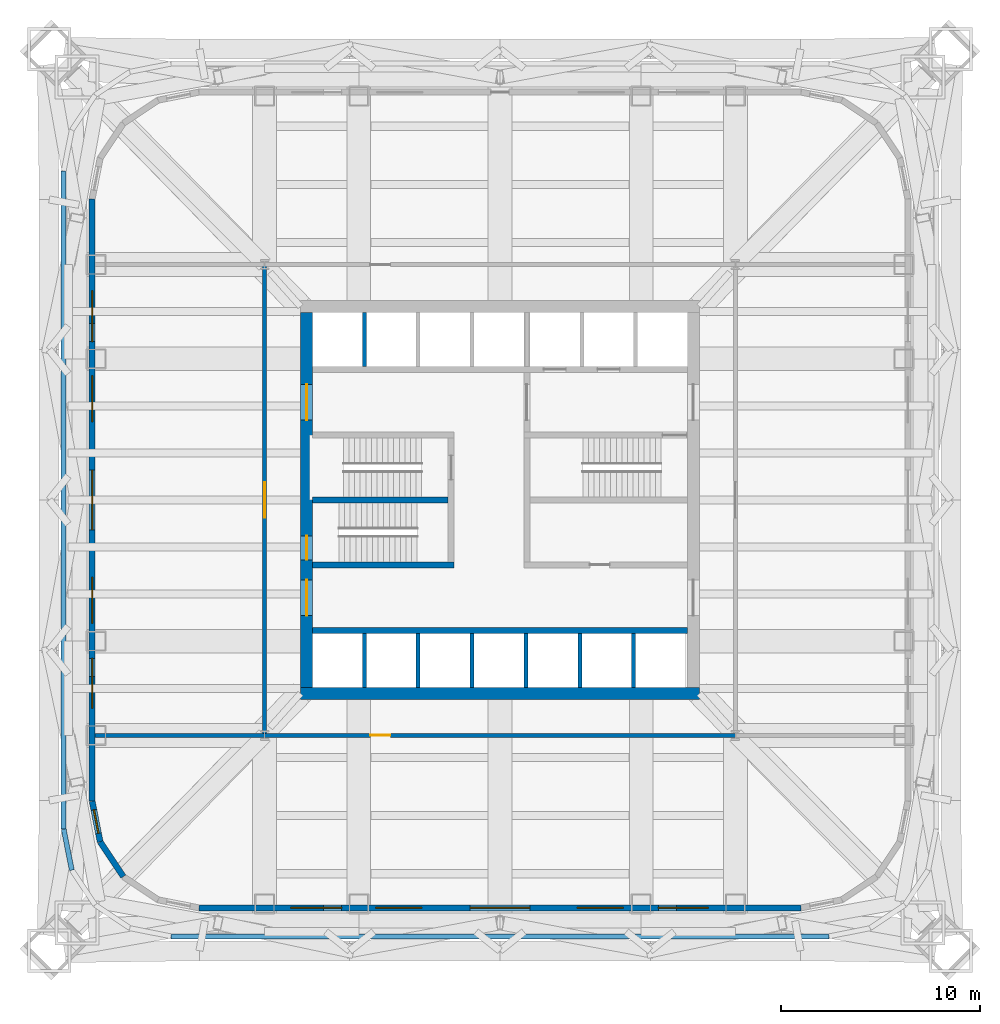
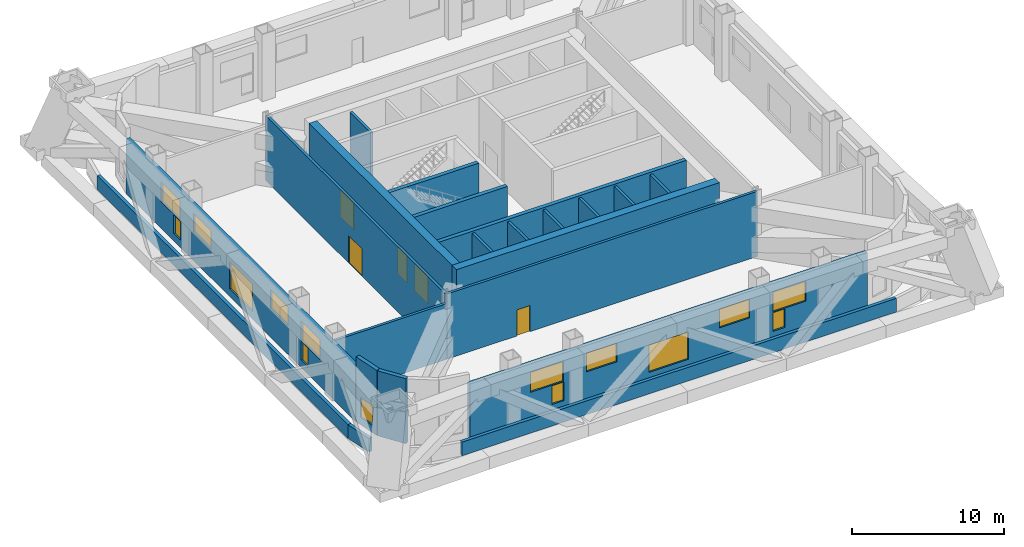
# One storey, part 5 of 9: 22 walls, 15 windows, 5 doors, 20 openings.
"""IFC4 building model written with IfcOpenShell, lengths in metres."""

from ifc_helpers import new_model, si_unit, direction, frame, frame_2d, origin, place, context, subcontext, project, spatial, rectangle, extrude, material, layer, layer_set, type_object, element, fill, save


model = new_model("IFC4")

# Units and contexts
model_context = context("Model", 3, precision=1e-05, world=origin(), true_north=direction((0.0, 1.0)))
body_context = subcontext(model_context, "Body", "Model", "MODEL_VIEW")
ifc_project = project(units=[si_unit("LENGTHUNIT", "METRE"), si_unit("AREAUNIT", "SQUARE_METRE"), si_unit("VOLUMEUNIT", "CUBIC_METRE"), si_unit("PLANEANGLEUNIT", "RADIAN"), si_unit("MASSUNIT", "GRAM", prefix="KILO")], contexts=[model_context])

# Site, building, storey
site_placement = place(None, origin())
site = spatial("IfcSite", under=ifc_project, at=site_placement, CompositionType="ELEMENT")
building_placement = place(site_placement, origin())
building = spatial("IfcBuilding", under=site, at=building_placement, Name="Turquesa Mirador Hotel Tower", CompositionType="ELEMENT")
storey_placement = place(building_placement, frame((0.0, 0.0, 88.0)))
storey = spatial("IfcBuildingStorey", under=building, at=storey_placement, Name="L23", CompositionType="ELEMENT", Elevation=88.0)

# Walls
ifc_material_1 = material(Name="Concrete C50/60", Category="concrete")
ifc_layer_1 = layer(ifc_material_1, 0.300048828125)
ifc_layer_set_1 = layer_set([ifc_layer_1], Name="CORE INNER WALL 300")
wall_type_1 = type_object("IfcWallType", Name="CORE INNER WALL 300", PredefinedType="SHEAR", material=ifc_layer_set_1)
wall_1_placement = place(storey_placement, frame((45.60009765625, 38.449951171875, 0.0), z_axis=(0.0, 0.0, 1.0), x_axis=(1.0, 0.0, 0.0)))
element("IfcWall", 1, at=wall_1_placement, inside=storey, type_object=wall_type_1, Name="Core wall SL", PredefinedType="SHEAR", context=body_context, shape_type="SweptSolid", body=[
    extrude(rectangle(XDim=18.7998046875, YDim=0.300048828125, at=frame_2d((9.39990234375, 0.0))), origin(), (0.0, 0.0, 1.0), 5.39990234375),
])
wall_2_placement = place(storey_placement, frame((45.60009765625, 41.75, 0.0), z_axis=(0.0, 0.0, 1.0), x_axis=(1.0, 0.0, 0.0)))
element("IfcWall", 2, at=wall_2_placement, inside=storey, type_object=wall_type_1, Name="Core wall MS-W", PredefinedType="SHEAR", context=body_context, shape_type="SweptSolid", body=[
    extrude(rectangle(XDim=7.099853515625, YDim=0.300048828125, at=frame_2d((3.5498046875, 0.0))), origin(), (0.0, 0.0, 1.0), 5.39990234375),
])
wall_3_placement = place(storey_placement, frame((45.60009765625, 45.0, 0.0), z_axis=(0.0, 0.0, 1.0), x_axis=(1.0, 0.0, 0.0)))
element("IfcWall", 3, at=wall_3_placement, inside=storey, type_object=wall_type_1, Name="Core wall M0-W", PredefinedType="SHEAR", context=body_context, shape_type="SweptSolid", body=[
    extrude(rectangle(XDim=6.7998046875, YDim=0.300048828125, at=frame_2d((3.39990234375, 0.0))), origin(), (0.0, 0.0, 1.0), 5.39990234375),
])
ifc_material_2 = material(Name="Concrete C50/60", Category="concrete")
ifc_layer_2 = layer(ifc_material_2, 0.60009765625)
ifc_layer_set_2 = layer_set([ifc_layer_2], Name="CORE WALL 600")
wall_type_2 = type_object("IfcWallType", Name="CORE WALL 600", PredefinedType="SHEAR", material=ifc_layer_set_2)
wall_4_placement = place(storey_placement, frame((45.0, 35.300048828125, 0.0), z_axis=(0.0, 0.0, 1.0), x_axis=(1.0, 0.0, 0.0)))
element("IfcWall", 4, at=wall_4_placement, inside=storey, type_object=wall_type_2, Name="Core wall S", PredefinedType="SHEAR", context=body_context, shape_type="SweptSolid", body=[
    extrude(rectangle(XDim=20.0, YDim=0.60009765625, at=frame_2d((10.0, 0.0))), origin(), (0.0, 0.0, 1.0), 5.39990234375),
])

# Wall, openings, doors
wall_5_placement = place(storey_placement, frame((45.300048828125, 35.60009765625, 0.0), z_axis=(0.0, 0.0, 1.0), x_axis=(0.0, 1.0, 0.0)))
wall_5 = element("IfcWall", 5, at=wall_5_placement, inside=storey, type_object=wall_type_2, Name="Core wall W", PredefinedType="SHEAR", context=body_context, shape_type="SweptSolid", body=[
    extrude(rectangle(XDim=18.7998046875, YDim=0.60009765625, at=frame_2d((9.39990234375, 0.0))), origin(), (0.0, 0.0, 1.0), 5.39990234375),
])
opening_1_placement = place(wall_5_placement, frame((13.39990234375, 0.0, 0.0)))
opening_1 = element("IfcOpeningElement", 6, at=opening_1_placement, cuts=wall_5, Name="Opening D04", PredefinedType="OPENING", context=body_context, shape_type="SweptSolid", body=[
    extrude(rectangle(XDim=1.800048828125, YDim=2.199951171875, at=frame_2d((0.89990234375, 1.10009765625))), frame((0.0, 0.31005859375, 0.0), z_axis=(0.0, -1.0, 0.0), x_axis=(1.0, 0.0, 0.0)), (0.0, 0.0, 1.0), 0.6201171875),
])
opening_2_placement = place(wall_5_placement, frame((3.60009765625, 0.0, 0.0)))
opening_2 = element("IfcOpeningElement", 7, at=opening_2_placement, cuts=wall_5, Name="Opening D04", PredefinedType="OPENING", context=body_context, shape_type="SweptSolid", body=[
    extrude(rectangle(XDim=1.800048828125, YDim=2.199951171875, at=frame_2d((0.89990234375, 1.10009765625))), frame((0.0, 0.31005859375, 0.0), z_axis=(0.0, -1.0, 0.0), x_axis=(1.0, 0.0, 0.0)), (0.0, 0.0, 1.0), 0.6201171875),
])
opening_3_placement = place(wall_5_placement, frame((6.39990234375, 0.0, 0.0)))
opening_3 = element("IfcOpeningElement", 8, at=opening_3_placement, cuts=wall_5, Name="Opening D03", PredefinedType="OPENING", context=body_context, shape_type="SweptSolid", body=[
    extrude(rectangle(XDim=1.199951171875, YDim=2.199951171875, at=frame_2d((0.60009765625, 1.10009765625))), frame((0.0, 0.31005859375, 0.0), z_axis=(0.0, -1.0, 0.0), x_axis=(1.0, 0.0, 0.0)), (0.0, 0.0, 1.0), 0.6201171875),
])
ifc_material_3 = material(Name="Steel fire door", Category="steel")
door_type_1 = type_object("IfcDoorType", Name="DOOR 1200X2200 STAIR", OperationType="SINGLE_SWING_LEFT", PredefinedType="DOOR", material=ifc_material_3)
door_1_placement = place(opening_3_placement, origin())
door_1 = element("IfcDoor", 9, at=door_1_placement, inside=storey, type_object=door_type_1, Name="Stair ST2 door", OperationType="SINGLE_SWING_LEFT", OverallHeight=2.199951171875, OverallWidth=1.199951171875, PredefinedType="DOOR", context=body_context, shape_type="SweptSolid", body=[
    extrude(rectangle(XDim=1.199951171875, YDim=2.199951171875, at=frame_2d((0.60009765625, 1.10009765625))), frame((0.0, 0.02490234375, 0.0), z_axis=(0.0, -1.0, 0.0), x_axis=(1.0, 0.0, 0.0)), (0.0, 0.0, 1.0), 0.050048828125),
])
fill(opening_3, door_1)
ifc_material_4 = material(Name="Steel fire door pair", Category="steel")
door_type_2 = type_object("IfcDoorType", Name="DOOR 1800X2200 PAIR", OperationType="DOUBLE_DOOR_SINGLE_SWING", PredefinedType="DOOR", material=ifc_material_4)
door_2_placement = place(opening_1_placement, origin())
door_2 = element("IfcDoor", 10, at=door_2_placement, inside=storey, type_object=door_type_2, Name="North lift lobby door", OperationType="DOUBLE_DOOR_SINGLE_SWING", OverallHeight=2.199951171875, OverallWidth=1.800048828125, PredefinedType="DOOR", context=body_context, shape_type="SweptSolid", body=[
    extrude(rectangle(XDim=1.800048828125, YDim=2.199951171875, at=frame_2d((0.89990234375, 1.10009765625))), frame((0.0, 0.02490234375, 0.0), z_axis=(0.0, -1.0, 0.0), x_axis=(1.0, 0.0, 0.0)), (0.0, 0.0, 1.0), 0.050048828125),
])
fill(opening_1, door_2)
door_3_placement = place(opening_2_placement, origin())
door_3 = element("IfcDoor", 11, at=door_3_placement, inside=storey, type_object=door_type_2, Name="South lift lobby door", OperationType="DOUBLE_DOOR_SINGLE_SWING", OverallHeight=2.199951171875, OverallWidth=1.800048828125, PredefinedType="DOOR", context=body_context, shape_type="SweptSolid", body=[
    extrude(rectangle(XDim=1.800048828125, YDim=2.199951171875, at=frame_2d((0.89990234375, 1.10009765625))), frame((0.0, 0.02490234375, 0.0), z_axis=(0.0, -1.0, 0.0), x_axis=(1.0, 0.0, 0.0)), (0.0, 0.0, 1.0), 0.050048828125),
])
fill(opening_2, door_3)

# Wall, opening, door
ifc_material_5 = material(Name="Fire-rated gypsum board on steel studs", Category="steel")
ifc_layer_3 = layer(ifc_material_5, 0.199951171875)
ifc_layer_set_3 = layer_set([ifc_layer_3], Name="CORRIDOR WALL 200")
wall_type_3 = type_object("IfcWallType", Name="CORRIDOR WALL 200", PredefinedType="PARTITIONING", material=ifc_layer_set_3)
wall_6_placement = place(storey_placement, frame((43.199951171875, 33.199951171875, 0.0), z_axis=(0.0, 0.0, 1.0), x_axis=(1.0, 0.0, 0.0)))
wall_6 = element("IfcWall", 12, at=wall_6_placement, inside=storey, type_object=wall_type_3, Name="Partition L23 001", PredefinedType="PARTITIONING", context=body_context, shape_type="SweptSolid", body=[
    extrude(rectangle(XDim=23.60009765625, YDim=0.199951171875, at=frame_2d((11.800048828125, 0.0))), origin(), (0.0, 0.0, 1.0), 5.22998046875),
])
opening_4_placement = place(wall_6_placement, frame((5.300048828125, 0.0, 0.0)))
opening_4 = element("IfcOpeningElement", 13, at=opening_4_placement, cuts=wall_6, Name="Opening D05", PredefinedType="OPENING", context=body_context, shape_type="SweptSolid", body=[
    extrude(rectangle(XDim=1.0, YDim=2.10009765625, at=frame_2d((0.5, 1.050048828125))), frame((0.0, 0.10986328125, 0.0), z_axis=(0.0, -1.0, 0.0), x_axis=(1.0, 0.0, 0.0)), (0.0, 0.0, 1.0), 0.219970703125),
])
ifc_material_6 = material(Name="Steel fire door", Category="steel")
door_type_3 = type_object("IfcDoorType", Name="DOOR 1000X2100 SERVICE", OperationType="SINGLE_SWING_LEFT", PredefinedType="DOOR", material=ifc_material_6)
door_4_placement = place(opening_4_placement, origin())
door_4 = element("IfcDoor", 14, at=door_4_placement, inside=storey, type_object=door_type_3, Name="Door L23-02", OperationType="SINGLE_SWING_LEFT", OverallHeight=2.10009765625, OverallWidth=1.0, PredefinedType="DOOR", context=body_context, shape_type="SweptSolid", body=[
    extrude(rectangle(XDim=1.0, YDim=2.10009765625, at=frame_2d((0.5, 1.050048828125))), frame((0.0, 0.02490234375, 0.0), z_axis=(0.0, -1.0, 0.0), x_axis=(1.0, 0.0, 0.0)), (0.0, 0.0, 1.0), 0.050048828125),
])
fill(opening_4, door_4)

wall_7_placement = place(storey_placement, frame((43.199951171875, 33.199951171875, 0.0), z_axis=(0.0, 0.0, 1.0), x_axis=(0.0, 1.0, 0.0)))
wall_7 = element("IfcWall", 15, at=wall_7_placement, inside=storey, type_object=wall_type_3, Name="Partition L23 007", PredefinedType="PARTITIONING", context=body_context, shape_type="SweptSolid", body=[
    extrude(rectangle(XDim=23.60009765625, YDim=0.199951171875, at=frame_2d((11.800048828125, 0.0))), origin(), (0.0, 0.0, 1.0), 5.22998046875),
])
opening_5_placement = place(wall_7_placement, frame((10.89990234375, 0.0, 0.0)))
opening_5 = element("IfcOpeningElement", 16, at=opening_5_placement, cuts=wall_7, Name="Opening D04", PredefinedType="OPENING", context=body_context, shape_type="SweptSolid", body=[
    extrude(rectangle(XDim=1.800048828125, YDim=2.199951171875, at=frame_2d((0.89990234375, 1.10009765625))), frame((0.0, 0.10986328125, 0.0), z_axis=(0.0, -1.0, 0.0), x_axis=(1.0, 0.0, 0.0)), (0.0, 0.0, 1.0), 0.219970703125),
])
door_5_placement = place(opening_5_placement, origin())
door_5 = element("IfcDoor", 17, at=door_5_placement, inside=storey, type_object=door_type_2, Name="Door L23-04", OperationType="DOUBLE_DOOR_SINGLE_SWING", OverallHeight=2.199951171875, OverallWidth=1.800048828125, PredefinedType="DOOR", context=body_context, shape_type="SweptSolid", body=[
    extrude(rectangle(XDim=1.800048828125, YDim=2.199951171875, at=frame_2d((0.89990234375, 1.10009765625))), frame((0.0, 0.02490234375, 0.0), z_axis=(0.0, -1.0, 0.0), x_axis=(1.0, 0.0, 0.0)), (0.0, 0.0, 1.0), 0.050048828125),
])
fill(opening_5, door_5)

# Walls
ifc_material_7 = material(Name="Fire-rated gypsum board on steel studs", Category="steel")
ifc_layer_4 = layer(ifc_material_7, 0.199951171875)
ifc_layer_set_4 = layer_set([ifc_layer_4], Name="FIRE PARTITION 200")
wall_type_4 = type_object("IfcWallType", Name="FIRE PARTITION 200", PredefinedType="PARTITIONING", material=ifc_layer_set_4)
wall_8_placement = place(storey_placement, frame((34.699951171875, 33.199951171875, 0.0), z_axis=(0.0, 0.0, 1.0), x_axis=(1.0, 0.0, 0.0)))
element("IfcWall", 18, at=wall_8_placement, inside=storey, type_object=wall_type_4, Name="Partition L23 002", PredefinedType="PARTITIONING", context=body_context, shape_type="SweptSolid", body=[
    extrude(rectangle(XDim=8.5, YDim=0.199951171875, at=frame_2d((4.25, 0.0))), origin(), (0.0, 0.0, 1.0), 4.47314453125),
])
ifc_material_8 = material(Name="Fire-rated gypsum shaft wall on steel studs", Category="steel")
ifc_layer_5 = layer(ifc_material_8, 0.199951171875)
ifc_layer_set_5 = layer_set([ifc_layer_5], Name="LIFT SHAFT DIVIDER 200")
wall_type_5 = type_object("IfcWallType", Name="LIFT SHAFT DIVIDER 200", PredefinedType="PARTITIONING", material=ifc_layer_set_5)
for number, where, z_axis, x_axis, name in (
    (19, (48.199951171875, 51.699951171875, 0.0), (0.0, 0.0, 1.0), (0.0, 1.0, 0.0), "Lift shaft divider"),
    (20, (48.199951171875, 35.60009765625, 0.0), (0.0, 0.0, 1.0), (0.0, 1.0, 0.0), "Lift shaft divider"),
    (21, (50.89990234375, 35.60009765625, 0.0), (0.0, 0.0, 1.0), (0.0, 1.0, 0.0), "Lift shaft divider"),
    (22, (53.60009765625, 35.60009765625, 0.0), (0.0, 0.0, 1.0), (0.0, 1.0, 0.0), "Lift shaft divider"),
    (23, (56.300048828125, 35.60009765625, 0.0), (0.0, 0.0, 1.0), (0.0, 1.0, 0.0), "Lift shaft divider"),
    (24, (59.0, 35.60009765625, 0.0), (0.0, 0.0, 1.0), (0.0, 1.0, 0.0), "Lift shaft divider"),
    (25, (61.699951171875, 35.60009765625, 0.0), (0.0, 0.0, 1.0), (0.0, 1.0, 0.0), "Lift shaft divider"),
):
    element("IfcWall", number, at=place(storey_placement, frame(where, z_axis=z_axis, x_axis=x_axis)), inside=storey, type_object=wall_type_5, Name=name, PredefinedType="PARTITIONING", context=body_context, shape_type="SweptSolid", body=[
        extrude(rectangle(XDim=2.699951171875, YDim=0.199951171875, at=frame_2d((1.35009765625, 0.0))), origin(), (0.0, 0.0, 1.0), 5.22998046875),
    ])

# Wall, openings, windows
ifc_material_9 = material(Name="Limestone cladding on concrete block", Category="masonry")
ifc_layer_6 = layer(ifc_material_9, 0.300048828125)
ifc_layer_set_6 = layer_set([ifc_layer_6], Name="LOUVRE WALL 300 STONE")
wall_type_6 = type_object("IfcWallType", Name="LOUVRE WALL 300 STONE", PredefinedType="SOLIDWALL", material=ifc_layer_set_6)
wall_9_placement = place(storey_placement, frame((34.550048828125, 60.10009765625, 0.0), z_axis=(0.0, 0.0, 1.0), x_axis=(0.0, -1.0, 0.0)))
wall_9 = element("IfcWall", 26, at=wall_9_placement, inside=storey, type_object=wall_type_6, Name="Facade wall L23 14", PredefinedType="SOLIDWALL", context=body_context, shape_type="SweptSolid", body=[
    extrude(rectangle(XDim=30.2001953125, YDim=0.300048828125, at=frame_2d((15.10009765625, 0.0))), origin(), (0.0, 0.0, 1.0), 4.429931640625),
])
opening_6_placement = place(wall_9_placement, frame((4.610107421875, 0.0, 2.14990234375)))
opening_6 = element("IfcOpeningElement", 27, at=opening_6_placement, cuts=wall_9, Name="Opening LV15", PredefinedType="OPENING", context=body_context, shape_type="SweptSolid", body=[
    extrude(rectangle(XDim=2.5, YDim=1.60009765625, at=frame_2d((1.25, 0.800048828125))), frame((0.0, 0.159912109375, 0.0), z_axis=(0.0, -1.0, 0.0), x_axis=(1.0, 0.0, 0.0)), (0.0, 0.0, 1.0), 0.320068359375),
])
opening_7_placement = place(wall_9_placement, frame((8.8798828125, 0.0, 2.300048828125)))
opening_7 = element("IfcOpeningElement", 28, at=opening_7_placement, cuts=wall_9, Name="Opening LV12", PredefinedType="OPENING", context=body_context, shape_type="SweptSolid", body=[
    extrude(rectangle(XDim=2.300048828125, YDim=1.5, at=frame_2d((1.14990234375, 0.75))), frame((0.0, 0.159912109375, 0.0), z_axis=(0.0, -1.0, 0.0), x_axis=(1.0, 0.0, 0.0)), (0.0, 0.0, 1.0), 0.320068359375),
])
opening_8_placement = place(wall_9_placement, frame((13.60009765625, 0.0, 0.60009765625)))
opening_8 = element("IfcOpeningElement", 29, at=opening_8_placement, cuts=wall_9, Name="Opening LV18", PredefinedType="OPENING", context=body_context, shape_type="SweptSolid", body=[
    extrude(rectangle(XDim=3.0, YDim=2.199951171875, at=frame_2d((1.5, 1.10009765625))), frame((0.0, 0.159912109375, 0.0), z_axis=(0.0, -1.0, 0.0), x_axis=(1.0, 0.0, 0.0)), (0.0, 0.0, 1.0), 0.320068359375),
])
opening_9_placement = place(wall_9_placement, frame((18.969970703125, 0.0, 2.300048828125)))
opening_9 = element("IfcOpeningElement", 30, at=opening_9_placement, cuts=wall_9, Name="Opening LV12", PredefinedType="OPENING", context=body_context, shape_type="SweptSolid", body=[
    extrude(rectangle(XDim=2.300048828125, YDim=1.5, at=frame_2d((1.14990234375, 0.75))), frame((0.0, 0.159912109375, 0.0), z_axis=(0.0, -1.0, 0.0), x_axis=(1.0, 0.0, 0.0)), (0.0, 0.0, 1.0), 0.320068359375),
])
opening_10_placement = place(wall_9_placement, frame((23.0400390625, 0.0, 2.14990234375)))
opening_10 = element("IfcOpeningElement", 31, at=opening_10_placement, cuts=wall_9, Name="Opening LV15", PredefinedType="OPENING", context=body_context, shape_type="SweptSolid", body=[
    extrude(rectangle(XDim=2.5, YDim=1.60009765625, at=frame_2d((1.25, 0.800048828125))), frame((0.0, 0.159912109375, 0.0), z_axis=(0.0, -1.0, 0.0), x_axis=(1.0, 0.0, 0.0)), (0.0, 0.0, 1.0), 0.320068359375),
])
opening_11_placement = place(wall_9_placement, frame((6.260009765625, 0.0, 0.60009765625)))
opening_11 = element("IfcOpeningElement", 32, at=opening_11_placement, cuts=wall_9, Name="Opening LV3", PredefinedType="OPENING", context=body_context, shape_type="SweptSolid", body=[
    extrude(rectangle(XDim=0.89990234375, YDim=1.5, at=frame_2d((0.449951171875, 0.75))), frame((0.0, 0.159912109375, 0.0), z_axis=(0.0, -1.0, 0.0), x_axis=(1.0, 0.0, 0.0)), (0.0, 0.0, 1.0), 0.320068359375),
])
opening_12_placement = place(wall_9_placement, frame((23.0400390625, 0.0, 0.60009765625)))
opening_12 = element("IfcOpeningElement", 33, at=opening_12_placement, cuts=wall_9, Name="Opening LV3", PredefinedType="OPENING", context=body_context, shape_type="SweptSolid", body=[
    extrude(rectangle(XDim=0.89990234375, YDim=1.5, at=frame_2d((0.449951171875, 0.75))), frame((0.0, 0.159912109375, 0.0), z_axis=(0.0, -1.0, 0.0), x_axis=(1.0, 0.0, 0.0)), (0.0, 0.0, 1.0), 0.320068359375),
])
ifc_material_10 = material(Name="Aluminium extrusion", Category="aluminium")
window_type_1 = type_object("IfcWindowType", Name="PLANT LOUVRE 2300X1500", PartitioningType="SINGLE_PANEL", PredefinedType="USERDEFINED", material=ifc_material_10)
window_1_placement = place(opening_7_placement, origin())
window_1 = element("IfcWindow", 34, at=window_1_placement, inside=storey, type_object=window_type_1, Name="Window L23", ObjectType="LOUVRE", OverallHeight=1.5, OverallWidth=2.300048828125, PartitioningType="SINGLE_PANEL", PredefinedType="USERDEFINED", context=body_context, shape_type="SweptSolid", body=[
    extrude(rectangle(XDim=2.300048828125, YDim=1.5, at=frame_2d((1.14990234375, 0.75))), frame((0.0, 0.030029296875, 0.0), z_axis=(0.0, -1.0, 0.0), x_axis=(1.0, 0.0, 0.0)), (0.0, 0.0, 1.0), 0.06005859375),
])
fill(opening_7, window_1)
window_2_placement = place(opening_9_placement, origin())
window_2 = element("IfcWindow", 35, at=window_2_placement, inside=storey, type_object=window_type_1, Name="Window L23", ObjectType="LOUVRE", OverallHeight=1.5, OverallWidth=2.300048828125, PartitioningType="SINGLE_PANEL", PredefinedType="USERDEFINED", context=body_context, shape_type="SweptSolid", body=[
    extrude(rectangle(XDim=2.300048828125, YDim=1.5, at=frame_2d((1.14990234375, 0.75))), frame((0.0, 0.030029296875, 0.0), z_axis=(0.0, -1.0, 0.0), x_axis=(1.0, 0.0, 0.0)), (0.0, 0.0, 1.0), 0.06005859375),
])
fill(opening_9, window_2)
ifc_material_11 = material(Name="Aluminium extrusion", Category="aluminium")
window_type_2 = type_object("IfcWindowType", Name="PLANT LOUVRE 2500X1600", PartitioningType="SINGLE_PANEL", PredefinedType="USERDEFINED", material=ifc_material_11)
window_3_placement = place(opening_6_placement, origin())
window_3 = element("IfcWindow", 36, at=window_3_placement, inside=storey, type_object=window_type_2, Name="Window L23", ObjectType="LOUVRE", OverallHeight=1.60009765625, OverallWidth=2.5, PartitioningType="SINGLE_PANEL", PredefinedType="USERDEFINED", context=body_context, shape_type="SweptSolid", body=[
    extrude(rectangle(XDim=2.5, YDim=1.60009765625, at=frame_2d((1.25, 0.800048828125))), frame((0.0, 0.030029296875, 0.0), z_axis=(0.0, -1.0, 0.0), x_axis=(1.0, 0.0, 0.0)), (0.0, 0.0, 1.0), 0.06005859375),
])
fill(opening_6, window_3)
window_4_placement = place(opening_10_placement, origin())
window_4 = element("IfcWindow", 37, at=window_4_placement, inside=storey, type_object=window_type_2, Name="Window L23", ObjectType="LOUVRE", OverallHeight=1.60009765625, OverallWidth=2.5, PartitioningType="SINGLE_PANEL", PredefinedType="USERDEFINED", context=body_context, shape_type="SweptSolid", body=[
    extrude(rectangle(XDim=2.5, YDim=1.60009765625, at=frame_2d((1.25, 0.800048828125))), frame((0.0, 0.030029296875, 0.0), z_axis=(0.0, -1.0, 0.0), x_axis=(1.0, 0.0, 0.0)), (0.0, 0.0, 1.0), 0.06005859375),
])
fill(opening_10, window_4)
ifc_material_12 = material(Name="Aluminium extrusion", Category="aluminium")
window_type_3 = type_object("IfcWindowType", Name="PLANT LOUVRE 3000X2200", PartitioningType="SINGLE_PANEL", PredefinedType="USERDEFINED", material=ifc_material_12)
window_5_placement = place(opening_8_placement, origin())
window_5 = element("IfcWindow", 38, at=window_5_placement, inside=storey, type_object=window_type_3, Name="Window L23", ObjectType="LOUVRE", OverallHeight=2.199951171875, OverallWidth=3.0, PartitioningType="SINGLE_PANEL", PredefinedType="USERDEFINED", context=body_context, shape_type="SweptSolid", body=[
    extrude(rectangle(XDim=3.0, YDim=2.199951171875, at=frame_2d((1.5, 1.10009765625))), frame((0.0, 0.030029296875, 0.0), z_axis=(0.0, -1.0, 0.0), x_axis=(1.0, 0.0, 0.0)), (0.0, 0.0, 1.0), 0.06005859375),
])
fill(opening_8, window_5)
ifc_material_13 = material(Name="Aluminium extrusion", Category="aluminium")
window_type_4 = type_object("IfcWindowType", Name="PLANT LOUVRE 900X1500", PartitioningType="SINGLE_PANEL", PredefinedType="USERDEFINED", material=ifc_material_13)
window_6_placement = place(opening_11_placement, origin())
window_6 = element("IfcWindow", 39, at=window_6_placement, inside=storey, type_object=window_type_4, Name="Window L23", ObjectType="LOUVRE", OverallHeight=1.5, OverallWidth=0.89990234375, PartitioningType="SINGLE_PANEL", PredefinedType="USERDEFINED", context=body_context, shape_type="SweptSolid", body=[
    extrude(rectangle(XDim=0.89990234375, YDim=1.5, at=frame_2d((0.449951171875, 0.75))), frame((0.0, 0.030029296875, 0.0), z_axis=(0.0, -1.0, 0.0), x_axis=(1.0, 0.0, 0.0)), (0.0, 0.0, 1.0), 0.06005859375),
])
fill(opening_11, window_6)
window_7_placement = place(opening_12_placement, origin())
window_7 = element("IfcWindow", 40, at=window_7_placement, inside=storey, type_object=window_type_4, Name="Window L23", ObjectType="LOUVRE", OverallHeight=1.5, OverallWidth=0.89990234375, PartitioningType="SINGLE_PANEL", PredefinedType="USERDEFINED", context=body_context, shape_type="SweptSolid", body=[
    extrude(rectangle(XDim=0.89990234375, YDim=1.5, at=frame_2d((0.449951171875, 0.75))), frame((0.0, 0.030029296875, 0.0), z_axis=(0.0, -1.0, 0.0), x_axis=(1.0, 0.0, 0.0)), (0.0, 0.0, 1.0), 0.06005859375),
])
fill(opening_12, window_7)

# Wall, opening, window
wall_10_placement = place(storey_placement, frame((34.550048828125, 29.89990234375, 0.0), z_axis=(0.0, 0.0, 1.0), x_axis=(0.195081421501, -0.980787050784, 0.0)))
wall_10 = element("IfcWall", 41, at=wall_10_placement, inside=storey, type_object=wall_type_6, Name="Facade wall L23 15", PredefinedType="SOLIDWALL", context=body_context, shape_type="SweptSolid", body=[
    extrude(rectangle(XDim=2.08740234375, YDim=0.300048828125, at=frame_2d((1.043701171875, 0.0))), origin(), (0.0, 0.0, 1.0), 5.22998046875),
])
opening_13_placement = place(wall_10_placement, frame((0.443603515625, 0.0, 0.60009765625)))
opening_13 = element("IfcOpeningElement", 42, at=opening_13_placement, cuts=wall_10, Name="Opening LV7", PredefinedType="OPENING", context=body_context, shape_type="SweptSolid", body=[
    extrude(rectangle(XDim=1.199951171875, YDim=1.60009765625, at=frame_2d((0.60009765625, 0.800048828125))), frame((0.0, 0.159912109375, 0.0), z_axis=(0.0, -1.0, 0.0), x_axis=(1.0, 0.0, 0.0)), (0.0, 0.0, 1.0), 0.320068359375),
])
ifc_material_14 = material(Name="Aluminium extrusion", Category="aluminium")
window_type_5 = type_object("IfcWindowType", Name="PLANT LOUVRE 1200X1600", PartitioningType="SINGLE_PANEL", PredefinedType="USERDEFINED", material=ifc_material_14)
window_8_placement = place(opening_13_placement, origin())
window_8 = element("IfcWindow", 43, at=window_8_placement, inside=storey, type_object=window_type_5, Name="Window L23", ObjectType="LOUVRE", OverallHeight=1.60009765625, OverallWidth=1.199951171875, PartitioningType="SINGLE_PANEL", PredefinedType="USERDEFINED", context=body_context, shape_type="SweptSolid", body=[
    extrude(rectangle(XDim=1.199951171875, YDim=1.60009765625, at=frame_2d((0.60009765625, 0.800048828125))), frame((0.0, 0.030029296875, 0.0), z_axis=(0.0, -1.0, 0.0), x_axis=(1.0, 0.0, 0.0)), (0.0, 0.0, 1.0), 0.06005859375),
])
fill(opening_13, window_8)

# Wall
wall_11_placement = place(storey_placement, frame((34.957275390625, 27.8525390625, 0.0), z_axis=(0.0, 0.0, 1.0), x_axis=(0.555563607591, -0.831474039234, 0.0)))
element("IfcWall", 44, at=wall_11_placement, inside=storey, type_object=wall_type_6, Name="Facade wall L23 16", PredefinedType="SOLIDWALL", context=body_context, shape_type="SweptSolid", body=[
    extrude(rectangle(XDim=2.08740234375, YDim=0.300048828125, at=frame_2d((1.043701171875, 0.0))), origin(), (0.0, 0.0, 1.0), 5.22998046875),
])

# Wall, openings, windows
wall_12_placement = place(storey_placement, frame((39.89990234375, 24.550048828125, 0.0), z_axis=(0.0, 0.0, 1.0), x_axis=(1.0, 0.0, 0.0)))
wall_12 = element("IfcWall", 45, at=wall_12_placement, inside=storey, type_object=wall_type_6, Name="Facade wall L23 19", PredefinedType="SOLIDWALL", context=body_context, shape_type="SweptSolid", body=[
    extrude(rectangle(XDim=30.2001953125, YDim=0.300048828125, at=frame_2d((15.10009765625, 0.0))), origin(), (0.0, 0.0, 1.0), 4.429931640625),
])
opening_14_placement = place(wall_12_placement, frame((4.610107421875, 0.0, 2.14990234375)))
opening_14 = element("IfcOpeningElement", 46, at=opening_14_placement, cuts=wall_12, Name="Opening LV15", PredefinedType="OPENING", context=body_context, shape_type="SweptSolid", body=[
    extrude(rectangle(XDim=2.5, YDim=1.60009765625, at=frame_2d((1.25, 0.800048828125))), frame((0.0, 0.159912109375, 0.0), z_axis=(0.0, -1.0, 0.0), x_axis=(1.0, 0.0, 0.0)), (0.0, 0.0, 1.0), 0.320068359375),
])
opening_15_placement = place(wall_12_placement, frame((8.8798828125, 0.0, 2.300048828125)))
opening_15 = element("IfcOpeningElement", 47, at=opening_15_placement, cuts=wall_12, Name="Opening LV12", PredefinedType="OPENING", context=body_context, shape_type="SweptSolid", body=[
    extrude(rectangle(XDim=2.300048828125, YDim=1.5, at=frame_2d((1.14990234375, 0.75))), frame((0.0, 0.159912109375, 0.0), z_axis=(0.0, -1.0, 0.0), x_axis=(1.0, 0.0, 0.0)), (0.0, 0.0, 1.0), 0.320068359375),
])
opening_16_placement = place(wall_12_placement, frame((13.60009765625, 0.0, 0.60009765625)))
opening_16 = element("IfcOpeningElement", 48, at=opening_16_placement, cuts=wall_12, Name="Opening LV18", PredefinedType="OPENING", context=body_context, shape_type="SweptSolid", body=[
    extrude(rectangle(XDim=3.0, YDim=2.199951171875, at=frame_2d((1.5, 1.10009765625))), frame((0.0, 0.159912109375, 0.0), z_axis=(0.0, -1.0, 0.0), x_axis=(1.0, 0.0, 0.0)), (0.0, 0.0, 1.0), 0.320068359375),
])
opening_17_placement = place(wall_12_placement, frame((18.969970703125, 0.0, 2.300048828125)))
opening_17 = element("IfcOpeningElement", 49, at=opening_17_placement, cuts=wall_12, Name="Opening LV12", PredefinedType="OPENING", context=body_context, shape_type="SweptSolid", body=[
    extrude(rectangle(XDim=2.300048828125, YDim=1.5, at=frame_2d((1.14990234375, 0.75))), frame((0.0, 0.159912109375, 0.0), z_axis=(0.0, -1.0, 0.0), x_axis=(1.0, 0.0, 0.0)), (0.0, 0.0, 1.0), 0.320068359375),
])
opening_18_placement = place(wall_12_placement, frame((23.0400390625, 0.0, 2.14990234375)))
opening_18 = element("IfcOpeningElement", 50, at=opening_18_placement, cuts=wall_12, Name="Opening LV15", PredefinedType="OPENING", context=body_context, shape_type="SweptSolid", body=[
    extrude(rectangle(XDim=2.5, YDim=1.60009765625, at=frame_2d((1.25, 0.800048828125))), frame((0.0, 0.159912109375, 0.0), z_axis=(0.0, -1.0, 0.0), x_axis=(1.0, 0.0, 0.0)), (0.0, 0.0, 1.0), 0.320068359375),
])
opening_19_placement = place(wall_12_placement, frame((6.260009765625, 0.0, 0.60009765625)))
opening_19 = element("IfcOpeningElement", 51, at=opening_19_placement, cuts=wall_12, Name="Opening LV3", PredefinedType="OPENING", context=body_context, shape_type="SweptSolid", body=[
    extrude(rectangle(XDim=0.89990234375, YDim=1.5, at=frame_2d((0.449951171875, 0.75))), frame((0.0, 0.159912109375, 0.0), z_axis=(0.0, -1.0, 0.0), x_axis=(1.0, 0.0, 0.0)), (0.0, 0.0, 1.0), 0.320068359375),
])
opening_20_placement = place(wall_12_placement, frame((23.0400390625, 0.0, 0.60009765625)))
opening_20 = element("IfcOpeningElement", 52, at=opening_20_placement, cuts=wall_12, Name="Opening LV3", PredefinedType="OPENING", context=body_context, shape_type="SweptSolid", body=[
    extrude(rectangle(XDim=0.89990234375, YDim=1.5, at=frame_2d((0.449951171875, 0.75))), frame((0.0, 0.159912109375, 0.0), z_axis=(0.0, -1.0, 0.0), x_axis=(1.0, 0.0, 0.0)), (0.0, 0.0, 1.0), 0.320068359375),
])
window_9_placement = place(opening_15_placement, origin())
window_9 = element("IfcWindow", 53, at=window_9_placement, inside=storey, type_object=window_type_1, Name="Window L23", ObjectType="LOUVRE", OverallHeight=1.5, OverallWidth=2.300048828125, PartitioningType="SINGLE_PANEL", PredefinedType="USERDEFINED", context=body_context, shape_type="SweptSolid", body=[
    extrude(rectangle(XDim=2.300048828125, YDim=1.5, at=frame_2d((1.14990234375, 0.75))), frame((0.0, 0.030029296875, 0.0), z_axis=(0.0, -1.0, 0.0), x_axis=(1.0, 0.0, 0.0)), (0.0, 0.0, 1.0), 0.06005859375),
])
fill(opening_15, window_9)
window_10_placement = place(opening_17_placement, origin())
window_10 = element("IfcWindow", 54, at=window_10_placement, inside=storey, type_object=window_type_1, Name="Window L23", ObjectType="LOUVRE", OverallHeight=1.5, OverallWidth=2.300048828125, PartitioningType="SINGLE_PANEL", PredefinedType="USERDEFINED", context=body_context, shape_type="SweptSolid", body=[
    extrude(rectangle(XDim=2.300048828125, YDim=1.5, at=frame_2d((1.14990234375, 0.75))), frame((0.0, 0.030029296875, 0.0), z_axis=(0.0, -1.0, 0.0), x_axis=(1.0, 0.0, 0.0)), (0.0, 0.0, 1.0), 0.06005859375),
])
fill(opening_17, window_10)
window_11_placement = place(opening_14_placement, origin())
window_11 = element("IfcWindow", 55, at=window_11_placement, inside=storey, type_object=window_type_2, Name="Window L23", ObjectType="LOUVRE", OverallHeight=1.60009765625, OverallWidth=2.5, PartitioningType="SINGLE_PANEL", PredefinedType="USERDEFINED", context=body_context, shape_type="SweptSolid", body=[
    extrude(rectangle(XDim=2.5, YDim=1.60009765625, at=frame_2d((1.25, 0.800048828125))), frame((0.0, 0.030029296875, 0.0), z_axis=(0.0, -1.0, 0.0), x_axis=(1.0, 0.0, 0.0)), (0.0, 0.0, 1.0), 0.06005859375),
])
fill(opening_14, window_11)
window_12_placement = place(opening_18_placement, origin())
window_12 = element("IfcWindow", 56, at=window_12_placement, inside=storey, type_object=window_type_2, Name="Window L23", ObjectType="LOUVRE", OverallHeight=1.60009765625, OverallWidth=2.5, PartitioningType="SINGLE_PANEL", PredefinedType="USERDEFINED", context=body_context, shape_type="SweptSolid", body=[
    extrude(rectangle(XDim=2.5, YDim=1.60009765625, at=frame_2d((1.25, 0.800048828125))), frame((0.0, 0.030029296875, 0.0), z_axis=(0.0, -1.0, 0.0), x_axis=(1.0, 0.0, 0.0)), (0.0, 0.0, 1.0), 0.06005859375),
])
fill(opening_18, window_12)
window_13_placement = place(opening_16_placement, origin())
window_13 = element("IfcWindow", 57, at=window_13_placement, inside=storey, type_object=window_type_3, Name="Window L23", ObjectType="LOUVRE", OverallHeight=2.199951171875, OverallWidth=3.0, PartitioningType="SINGLE_PANEL", PredefinedType="USERDEFINED", context=body_context, shape_type="SweptSolid", body=[
    extrude(rectangle(XDim=3.0, YDim=2.199951171875, at=frame_2d((1.5, 1.10009765625))), frame((0.0, 0.030029296875, 0.0), z_axis=(0.0, -1.0, 0.0), x_axis=(1.0, 0.0, 0.0)), (0.0, 0.0, 1.0), 0.06005859375),
])
fill(opening_16, window_13)
window_14_placement = place(opening_19_placement, origin())
window_14 = element("IfcWindow", 58, at=window_14_placement, inside=storey, type_object=window_type_4, Name="Window L23", ObjectType="LOUVRE", OverallHeight=1.5, OverallWidth=0.89990234375, PartitioningType="SINGLE_PANEL", PredefinedType="USERDEFINED", context=body_context, shape_type="SweptSolid", body=[
    extrude(rectangle(XDim=0.89990234375, YDim=1.5, at=frame_2d((0.449951171875, 0.75))), frame((0.0, 0.030029296875, 0.0), z_axis=(0.0, -1.0, 0.0), x_axis=(1.0, 0.0, 0.0)), (0.0, 0.0, 1.0), 0.06005859375),
])
fill(opening_19, window_14)
window_15_placement = place(opening_20_placement, origin())
window_15 = element("IfcWindow", 59, at=window_15_placement, inside=storey, type_object=window_type_4, Name="Window L23", ObjectType="LOUVRE", OverallHeight=1.5, OverallWidth=0.89990234375, PartitioningType="SINGLE_PANEL", PredefinedType="USERDEFINED", context=body_context, shape_type="SweptSolid", body=[
    extrude(rectangle(XDim=0.89990234375, YDim=1.5, at=frame_2d((0.449951171875, 0.75))), frame((0.0, 0.030029296875, 0.0), z_axis=(0.0, -1.0, 0.0), x_axis=(1.0, 0.0, 0.0)), (0.0, 0.0, 1.0), 0.06005859375),
])
fill(opening_20, window_15)

# Walls
ifc_material_15 = material(Name="Limestone cladding on concrete block", Category="masonry")
ifc_layer_7 = layer(ifc_material_15, 0.25)
ifc_layer_set_7 = layer_set([ifc_layer_7], Name="PARAPET 250 STONE")
wall_type_7 = type_object("IfcWallType", Name="PARAPET 250 STONE", PredefinedType="PARAPET", material=ifc_layer_set_7)
wall_13_placement = place(storey_placement, frame((33.125, 61.5, 0.0), z_axis=(0.0, 0.0, 1.0), x_axis=(0.0, -1.0, 0.0)))
element("IfcWall", 60, at=wall_13_placement, inside=storey, type_object=wall_type_7, Name="Maintenance roof parapet L23", PredefinedType="PARAPET", context=body_context, shape_type="SweptSolid", body=[
    extrude(rectangle(XDim=33.0, YDim=0.25, at=frame_2d((16.5, 0.0))), origin(), (0.0, 0.0, 1.0), 1.10009765625),
])
wall_14_placement = place(storey_placement, frame((33.125, 28.5, 0.0), z_axis=(0.0, 0.0, 1.0), x_axis=(0.195108609271, -0.980781642665, 0.0)))
element("IfcWall", 61, at=wall_14_placement, inside=storey, type_object=wall_type_7, Name="Maintenance roof parapet L23", PredefinedType="PARAPET", context=body_context, shape_type="SweptSolid", body=[
    extrude(rectangle(XDim=2.09716796875, YDim=0.25, at=frame_2d((1.048583984375, 0.0))), origin(), (0.0, 0.0, 1.0), 1.10009765625),
])
wall_15_placement = place(storey_placement, frame((38.5, 23.125, 0.0), z_axis=(0.0, 0.0, 1.0), x_axis=(1.0, 0.0, 0.0)))
element("IfcWall", 62, at=wall_15_placement, inside=storey, type_object=wall_type_7, Name="Maintenance roof parapet L23", PredefinedType="PARAPET", context=body_context, shape_type="SweptSolid", body=[
    extrude(rectangle(XDim=33.0, YDim=0.25, at=frame_2d((16.5, 0.0))), origin(), (0.0, 0.0, 1.0), 1.10009765625),
])

save(model, "model.ifc")
